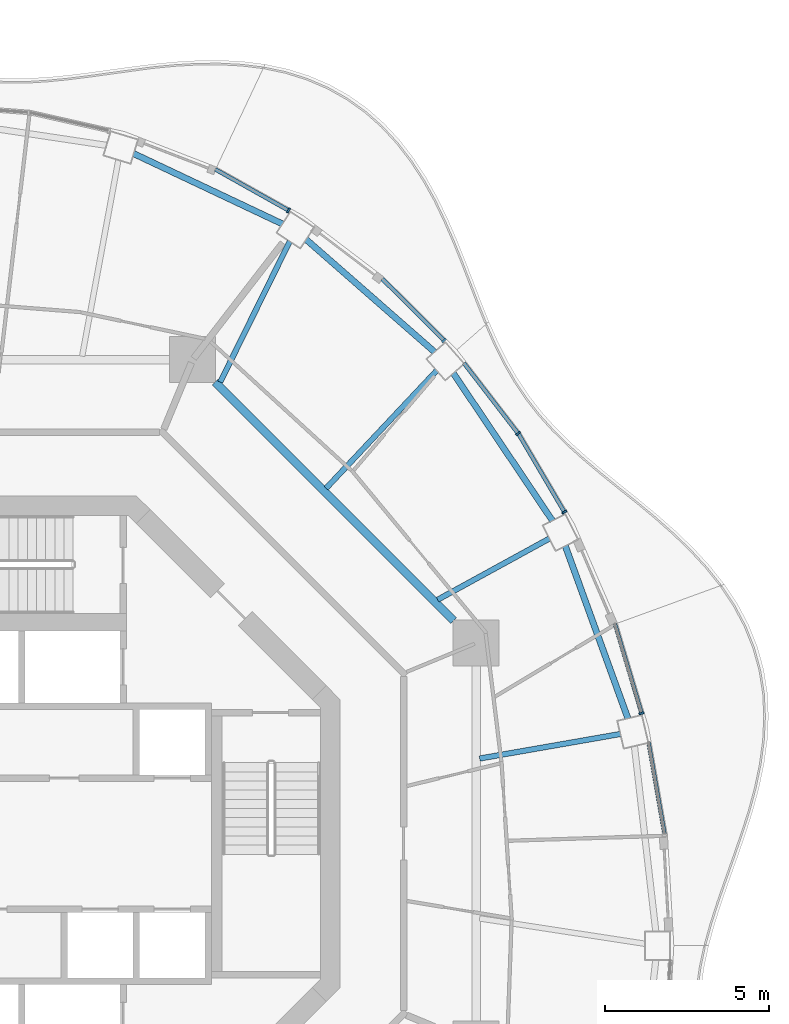
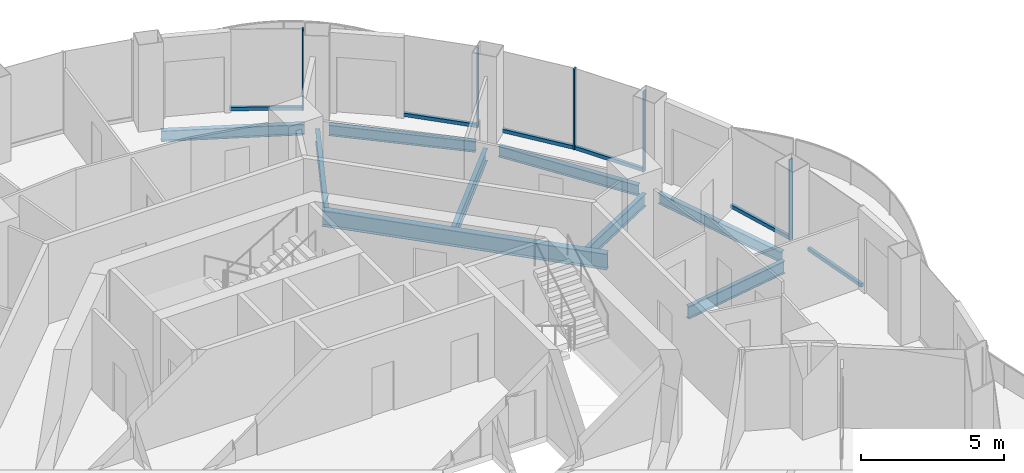
# One storey, part 7 of 17: 11 members, 9 beams, 6 elements without a shape of their own.
"""IFC4 building model written with IfcOpenShell, lengths in metres."""

from ifc_helpers import new_model, si_unit, direction, frame, origin, origin_2d, place, context, subcontext, project, spatial, rectangle, i_section, extrude, material, layer, layer_set, material_profile, profile_set, type_object, element, aggregate, save


model = new_model("IFC4")

# Units and contexts
model_context = context("Model", 3, precision=1e-05, world=origin(), true_north=direction((0.0, 1.0)))
body_context = subcontext(model_context, "Body", "Model", "MODEL_VIEW")
ifc_project = project(units=[si_unit("LENGTHUNIT", "METRE"), si_unit("AREAUNIT", "SQUARE_METRE"), si_unit("VOLUMEUNIT", "CUBIC_METRE"), si_unit("PLANEANGLEUNIT", "RADIAN"), si_unit("MASSUNIT", "GRAM", prefix="KILO")], contexts=[model_context])

# Site, building, storey
site_placement = place(None, origin())
site = spatial("IfcSite", under=ifc_project, at=site_placement, CompositionType="ELEMENT")
building_placement = place(site_placement, origin())
building = spatial("IfcBuilding", under=site, at=building_placement, Name="Nagisa Residences", CompositionType="ELEMENT")
storey_placement = place(building_placement, frame((0.0, 0.0, 262.199951171875)))
storey = spatial("IfcBuildingStorey", under=building, at=storey_placement, Name="L66", CompositionType="ELEMENT", Elevation=262.199951171875)

# Curtain wall, member
ifc_material_1 = material(Name="Concrete-coloured aluminium curtain wall system", Category="concrete")
ifc_layer = layer(ifc_material_1, 0.159912109375)
ifc_layer_set = layer_set([ifc_layer], Name="CW1 CURTAIN WALL")
curtain_wall_type = type_object("IfcCurtainWallType", Name="CW1 CURTAIN WALL", PredefinedType="NOTDEFINED", material=ifc_layer_set)
curtain_wall_1_placement = place(storey_placement, origin())
curtain_wall_1 = element("IfcCurtainWall", 1, at=curtain_wall_1_placement, inside=storey, type_object=curtain_wall_type, Name="cw:CW1:L66:02", PredefinedType="NOTDEFINED")
ifc_material_2 = material(Name="Concrete-coloured aluminium", Category="concrete")
ifc_material_profile_1 = material_profile(ifc_material_2, rectangle(XDim=0.159912109375, YDim=0.06005859375, at=origin_2d()), Name="CW1 MULLION 160x60")
ifc_profile_set_1 = profile_set([ifc_material_profile_1], Name="Concrete-coloured aluminium")
member_type_1 = type_object("IfcMemberType", Name="CW1 MULLION 160x60", PredefinedType="MULLION", material=ifc_profile_set_1)
member_1_placement = place(storey_placement, frame((19.83544921875, 3.9814453125, 0.0), z_axis=(0.0, 0.0, 1.0), x_axis=(-0.958271310082, -0.285860274038, 0.0)))
member_1 = element("IfcMember", 2, at=member_1_placement, type_object=member_type_1, Name="CW1 mullion", PredefinedType="MULLION", context=body_context, shape_type="SweptSolid", body=[
    extrude(rectangle(XDim=0.159912109375, YDim=0.06005859375, at=origin_2d()), origin(), (0.0, 0.0, 1.0), 3.43994140625),
])

curtain_wall_2_placement = place(storey_placement, origin())
curtain_wall_2 = element("IfcCurtainWall", 3, at=curtain_wall_2_placement, inside=storey, type_object=curtain_wall_type, Name="cw:CW1:L66:04", PredefinedType="NOTDEFINED")
member_2_placement = place(storey_placement, frame((17.4775390625, 10.125732421875, 0.0), z_axis=(0.0, 0.0, 1.0), x_axis=(-0.862328898214, -0.506348567002, 0.0)))
member_2 = element("IfcMember", 4, at=member_2_placement, type_object=member_type_1, Name="CW1 mullion", PredefinedType="MULLION", context=body_context, shape_type="SweptSolid", body=[
    extrude(rectangle(XDim=0.159912109375, YDim=0.06005859375, at=origin_2d()), origin(), (0.0, 0.0, 1.0), 3.43994140625),
])

curtain_wall_3_placement = place(storey_placement, origin())
curtain_wall_3 = element("IfcCurtainWall", 5, at=curtain_wall_3_placement, inside=storey, type_object=curtain_wall_type, Name="cw:CW1:L66:05", PredefinedType="NOTDEFINED")
member_3_placement = place(storey_placement, frame((16.06396484375, 12.52685546875, 0.0), z_axis=(0.0, 0.0, 1.0), x_axis=(-0.792070340816, -0.610429828235, 0.0)))
member_3 = element("IfcMember", 6, at=member_3_placement, type_object=member_type_1, Name="CW1 mullion", PredefinedType="MULLION", context=body_context, shape_type="SweptSolid", body=[
    extrude(rectangle(XDim=0.159912109375, YDim=0.06005859375, at=origin_2d()), origin(), (0.0, 0.0, 1.0), 3.43994140625),
])

curtain_wall_4_placement = place(storey_placement, origin())
curtain_wall_4 = element("IfcCurtainWall", 7, at=curtain_wall_4_placement, inside=storey, type_object=curtain_wall_type, Name="cw:CW1:L66:06", PredefinedType="NOTDEFINED")
member_4_placement = place(storey_placement, frame((13.798583984375, 15.36572265625, 0.0), z_axis=(0.0, 0.0, 1.0), x_axis=(-0.706376885714, -0.707835924016, 0.0)))
member_4 = element("IfcMember", 8, at=member_4_placement, type_object=member_type_1, Name="CW1 mullion", PredefinedType="MULLION", context=body_context, shape_type="SweptSolid", body=[
    extrude(rectangle(XDim=0.159912109375, YDim=0.06005859375, at=origin_2d()), origin(), (0.0, 0.0, 1.0), 3.43994140625),
])

curtain_wall_5_placement = place(storey_placement, origin())
curtain_wall_5 = element("IfcCurtainWall", 9, at=curtain_wall_5_placement, inside=storey, type_object=curtain_wall_type, Name="cw:CW1:L66:08", PredefinedType="NOTDEFINED")
member_5_placement = place(storey_placement, frame((9.05224609375, 19.3388671875, 0.0), z_axis=(0.0, 0.0, 1.0), x_axis=(-0.489376918501, -0.872072377523, 0.0)))
member_5 = element("IfcMember", 10, at=member_5_placement, type_object=member_type_1, Name="CW1 mullion", PredefinedType="MULLION", context=body_context, shape_type="SweptSolid", body=[
    extrude(rectangle(XDim=0.159912109375, YDim=0.06005859375, at=origin_2d()), origin(), (0.0, 0.0, 1.0), 3.43994140625),
])

curtain_wall_6_placement = place(storey_placement, origin())
curtain_wall_6 = element("IfcCurtainWall", 11, at=curtain_wall_6_placement, inside=storey, type_object=curtain_wall_type, Name="cw:CW1:L66:01", PredefinedType="NOTDEFINED")
ifc_material_3 = material(Name="Concrete-coloured aluminium", Category="concrete")
ifc_material_profile_2 = material_profile(ifc_material_3, rectangle(XDim=0.1201171875, YDim=0.14990234375, at=origin_2d()), Name="CW1 TRANSOM 120x150")
ifc_profile_set_2 = profile_set([ifc_material_profile_2], Name="Concrete-coloured aluminium")
member_type_2 = type_object("IfcMemberType", Name="CW1 TRANSOM 120x150", PredefinedType="USERDEFINED", material=ifc_profile_set_2)
member_6_placement = place(storey_placement, frame((20.547607421875, 0.228271484375, 0.074951171875), z_axis=(-0.172196679668, 0.985062588626, 0.0), x_axis=(-0.985062588626, -0.172196679668, 0.0)))
member_6 = element("IfcMember", 12, at=member_6_placement, type_object=member_type_2, Name="CW1 transom", ObjectType="TRANSOM", PredefinedType="USERDEFINED", context=body_context, shape_type="SweptSolid", body=[
    extrude(rectangle(XDim=0.1201171875, YDim=0.14990234375, at=origin_2d()), origin(), (0.0, 0.0, 1.0), 2.90234375),
])
aggregate(curtain_wall_6, [member_6])

# Member
member_7_placement = place(storey_placement, frame((19.843994140625, 3.95263671875, 0.074951171875), z_axis=(-0.285876209024, 0.9582665564, 0.0), x_axis=(-0.9582665564, -0.285876209024, 0.0)))
member_7 = element("IfcMember", 13, at=member_7_placement, type_object=member_type_2, Name="CW1 transom", ObjectType="TRANSOM", PredefinedType="USERDEFINED", context=body_context, shape_type="SweptSolid", body=[
    extrude(rectangle(XDim=0.1201171875, YDim=0.14990234375, at=origin_2d()), origin(), (0.0, 0.0, 1.0), 2.877197265625),
])

aggregate(curtain_wall_1, [member_1, member_7])

member_8_placement = place(storey_placement, frame((17.49267578125, 10.099853515625, 0.074951171875), z_axis=(-0.506371364425, 0.862315511452, 0.0), x_axis=(-0.862315511452, -0.506371364425, 0.0)))
member_8 = element("IfcMember", 14, at=member_8_placement, type_object=member_type_2, Name="CW1 transom", ObjectType="TRANSOM", PredefinedType="USERDEFINED", context=body_context, shape_type="SweptSolid", body=[
    extrude(rectangle(XDim=0.1201171875, YDim=0.14990234375, at=origin_2d()), origin(), (0.0, 0.0, 1.0), 2.79638671875),
])

aggregate(curtain_wall_2, [member_2, member_8])

member_9_placement = place(storey_placement, frame((16.082275390625, 12.5029296875, 0.074951171875), z_axis=(-0.610432336622, 0.792068407656, 0.0), x_axis=(-0.792068407656, -0.610432336622, 0.0)))
member_9 = element("IfcMember", 15, at=member_9_placement, type_object=member_type_2, Name="CW1 transom", ObjectType="TRANSOM", PredefinedType="USERDEFINED", context=body_context, shape_type="SweptSolid", body=[
    extrude(rectangle(XDim=0.1201171875, YDim=0.14990234375, at=origin_2d()), origin(), (0.0, 0.0, 1.0), 2.74609375),
])

aggregate(curtain_wall_3, [member_3, member_9])

member_10_placement = place(storey_placement, frame((13.81982421875, 15.344482421875, 0.074951171875), z_axis=(-0.707876975297, 0.706335747251, 0.0), x_axis=(-0.706335747251, -0.707876975297, 0.0)))
member_10 = element("IfcMember", 16, at=member_10_placement, type_object=member_type_2, Name="CW1 transom", ObjectType="TRANSOM", PredefinedType="USERDEFINED", context=body_context, shape_type="SweptSolid", body=[
    extrude(rectangle(XDim=0.1201171875, YDim=0.14990234375, at=origin_2d()), origin(), (0.0, 0.0, 1.0), 2.69287109375),
])

aggregate(curtain_wall_4, [member_4, member_10])

member_11_placement = place(storey_placement, frame((9.078369140625, 19.32421875, 0.074951171875), z_axis=(-0.872052877201, 0.489411666561, 0.0), x_axis=(-0.489411666561, -0.872052877201, 0.0)))
member_11 = element("IfcMember", 17, at=member_11_placement, type_object=member_type_2, Name="CW1 transom", ObjectType="TRANSOM", PredefinedType="USERDEFINED", context=body_context, shape_type="SweptSolid", body=[
    extrude(rectangle(XDim=0.1201171875, YDim=0.14990234375, at=origin_2d()), origin(), (0.0, 0.0, 1.0), 2.593017578125),
])

aggregate(curtain_wall_5, [member_5, member_11])

# Beams
ifc_material_4 = material(Name="Steel ASTM A572 Gr 50", Category="steel")
ifc_material_profile_3 = material_profile(ifc_material_4, i_section(OverallWidth=0.2529296875, OverallDepth=0.677978515625, WebThickness=0.01171875, FlangeThickness=0.016357421875, at=origin_2d()), Name="W690x125")
ifc_profile_set_3 = profile_set([ifc_material_profile_3], Name="Steel ASTM A572 Gr 50")
beam_type_1 = type_object("IfcBeamType", Name="Inner ring beam W690x125", PredefinedType="BEAM", material=ifc_profile_set_3)
beam_1_placement = place(storey_placement, frame((14.09619140625, 6.808837890625, -0.598876953125), z_axis=(-0.707106781187, 0.707106781187, 0.0), x_axis=(-0.707106781187, -0.707106781187, 0.0)))
element("IfcBeam", 18, at=beam_1_placement, inside=storey, type_object=beam_type_1, Name="beam:L66:ib1", PredefinedType="BEAM", context=body_context, shape_type="SweptSolid", body=[
    extrude(i_section(OverallWidth=0.2529296875, OverallDepth=0.677978515625, WebThickness=0.01171875, FlangeThickness=0.016357421875, at=origin_2d()), origin(), (0.0, 0.0, 1.0), 10.305908203125),
])
ifc_material_5 = material(Name="Steel ASTM A572 Gr 50", Category="steel")
ifc_material_profile_4 = material_profile(ifc_material_5, i_section(OverallWidth=0.18994140625, OverallDepth=0.45703125, WebThickness=0.009033203125, FlangeThickness=0.014404296875, at=origin_2d()), Name="W460x74")
ifc_profile_set_4 = profile_set([ifc_material_profile_4], Name="Steel ASTM A572 Gr 50")
beam_type_2 = type_object("IfcBeamType", Name="Perimeter ring beam W460x74", PredefinedType="BEAM", material=ifc_profile_set_4)
beam_2_placement = place(storey_placement, frame((19.41845703125, 3.822021484375, -0.488525390625), z_axis=(-0.341211850477, 0.93998642176, 0.0), x_axis=(-0.93998642176, -0.341211850477, 0.0)))
element("IfcBeam", 19, at=beam_2_placement, inside=storey, type_object=beam_type_2, Name="beam:L66:pb02", PredefinedType="BEAM", context=body_context, shape_type="SweptSolid", body=[
    extrude(i_section(OverallWidth=0.18994140625, OverallDepth=0.45703125, WebThickness=0.009033203125, FlangeThickness=0.014404296875, at=origin_2d()), origin(), (0.0, 0.0, 1.0), 5.609619140625),
])
beam_3_placement = place(storey_placement, frame((17.11474609375, 9.862060546875, -0.488525390625), z_axis=(-0.558066424866, 0.829796279479, 0.0), x_axis=(-0.829796279479, -0.558066424866, 0.0)))
element("IfcBeam", 20, at=beam_3_placement, inside=storey, type_object=beam_type_2, Name="beam:L66:pb03", PredefinedType="BEAM", context=body_context, shape_type="SweptSolid", body=[
    extrude(i_section(OverallWidth=0.18994140625, OverallDepth=0.45703125, WebThickness=0.009033203125, FlangeThickness=0.014404296875, at=origin_2d()), origin(), (0.0, 0.0, 1.0), 5.43212890625),
])
beam_4_placement = place(storey_placement, frame((13.514892578125, 15.015380859375, -0.488525390625), z_axis=(-0.752385480596, 0.658723074279, 0.0), x_axis=(-0.658723074279, -0.752385480596, 0.0)))
element("IfcBeam", 21, at=beam_4_placement, inside=storey, type_object=beam_type_2, Name="beam:L66:pb04", PredefinedType="BEAM", context=body_context, shape_type="SweptSolid", body=[
    extrude(i_section(OverallWidth=0.18994140625, OverallDepth=0.45703125, WebThickness=0.009033203125, FlangeThickness=0.014404296875, at=origin_2d()), origin(), (0.0, 0.0, 1.0), 5.220947265625),
])
beam_5_placement = place(storey_placement, frame((8.8671875, 18.926513671875, -0.488525390625), z_axis=(-0.904115893837, 0.427287316113, 0.0), x_axis=(-0.427287316113, -0.904115893837, 0.0)))
element("IfcBeam", 22, at=beam_5_placement, inside=storey, type_object=beam_type_2, Name="beam:L66:pb05", PredefinedType="BEAM", context=body_context, shape_type="SweptSolid", body=[
    extrude(i_section(OverallWidth=0.18994140625, OverallDepth=0.45703125, WebThickness=0.009033203125, FlangeThickness=0.014404296875, at=origin_2d()), origin(), (0.0, 0.0, 1.0), 5.031494140625),
])
ifc_material_6 = material(Name="Steel ASTM A572 Gr 50", Category="steel")
ifc_material_profile_5 = material_profile(ifc_material_6, i_section(OverallWidth=0.166015625, OverallDepth=0.534912109375, WebThickness=0.01025390625, FlangeThickness=0.0166015625, at=origin_2d()), Name="W530x85")
ifc_profile_set_5 = profile_set([ifc_material_profile_5], Name="Steel ASTM A572 Gr 50")
beam_type_3 = type_object("IfcBeamType", Name="Radial beam W530x85", PredefinedType="BEAM", material=ifc_profile_set_5)
beam_6_placement = place(storey_placement, frame((19.191162109375, 3.349365234375, -0.52734375), z_axis=(-0.985114356534, -0.171900275017, 0.0), x_axis=(0.171900275017, -0.985114356534, 0.0)))
element("IfcBeam", 23, at=beam_6_placement, inside=storey, type_object=beam_type_3, Name="beam:L66:rb02", PredefinedType="BEAM", context=body_context, shape_type="SweptSolid", body=[
    extrude(i_section(OverallWidth=0.166015625, OverallDepth=0.534912109375, WebThickness=0.01025390625, FlangeThickness=0.0166015625, at=origin_2d()), origin(), (0.0, 0.0, 1.0), 4.3671875),
])
beam_7_placement = place(storey_placement, frame((17.02294921875, 9.31982421875, -0.52734375), z_axis=(-0.877142169669, -0.480230792628, 0.0), x_axis=(0.480230792628, -0.877142169669, 0.0)))
element("IfcBeam", 24, at=beam_7_placement, inside=storey, type_object=beam_type_3, Name="beam:L66:rb03", PredefinedType="BEAM", context=body_context, shape_type="SweptSolid", body=[
    extrude(i_section(OverallWidth=0.166015625, OverallDepth=0.534912109375, WebThickness=0.01025390625, FlangeThickness=0.0166015625, at=origin_2d()), origin(), (0.0, 0.0, 1.0), 3.894287109375),
])
beam_8_placement = place(storey_placement, frame((13.579833984375, 14.451416015625, -0.52734375), z_axis=(-0.684799688268, -0.728731354442, 0.0), x_axis=(0.728731354442, -0.684799688268, 0.0)))
element("IfcBeam", 25, at=beam_8_placement, inside=storey, type_object=beam_type_3, Name="beam:L66:rb04", PredefinedType="BEAM", context=body_context, shape_type="SweptSolid", body=[
    extrude(i_section(OverallWidth=0.166015625, OverallDepth=0.534912109375, WebThickness=0.01025390625, FlangeThickness=0.0166015625, at=origin_2d()), origin(), (0.0, 0.0, 1.0), 4.934814453125),
])
beam_9_placement = place(storey_placement, frame((9.09033203125, 18.3974609375, -0.52734375), z_axis=(-0.442997846128, -0.896522675857, 0.0), x_axis=(0.896522675857, -0.442997846128, 0.0)))
element("IfcBeam", 26, at=beam_9_placement, inside=storey, type_object=beam_type_3, Name="beam:L66:rb05", PredefinedType="BEAM", context=body_context, shape_type="SweptSolid", body=[
    extrude(i_section(OverallWidth=0.166015625, OverallDepth=0.534912109375, WebThickness=0.01025390625, FlangeThickness=0.0166015625, at=origin_2d()), origin(), (0.0, 0.0, 1.0), 4.80078125),
])

save(model, "model.ifc")
